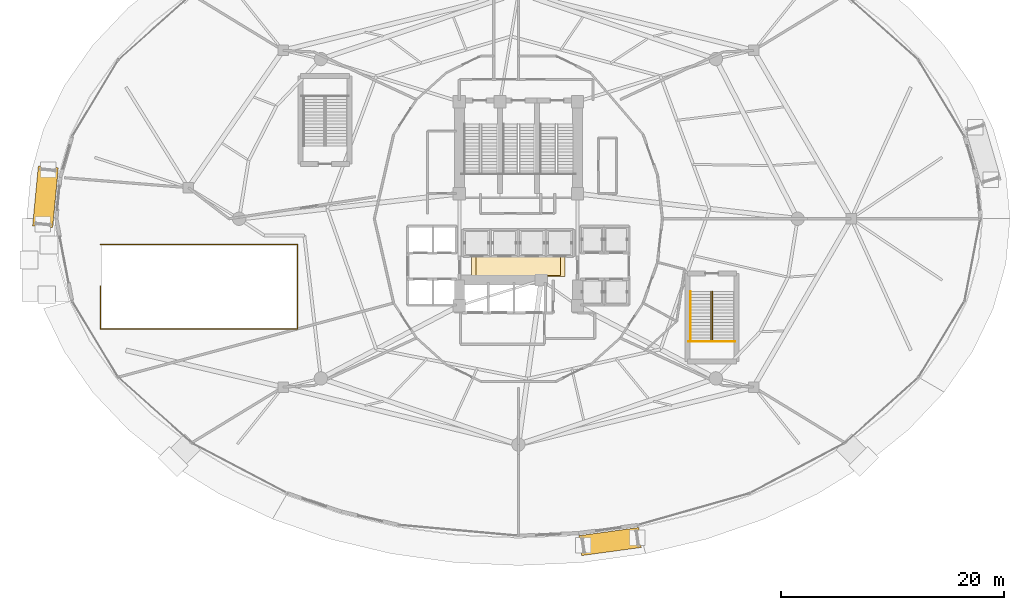
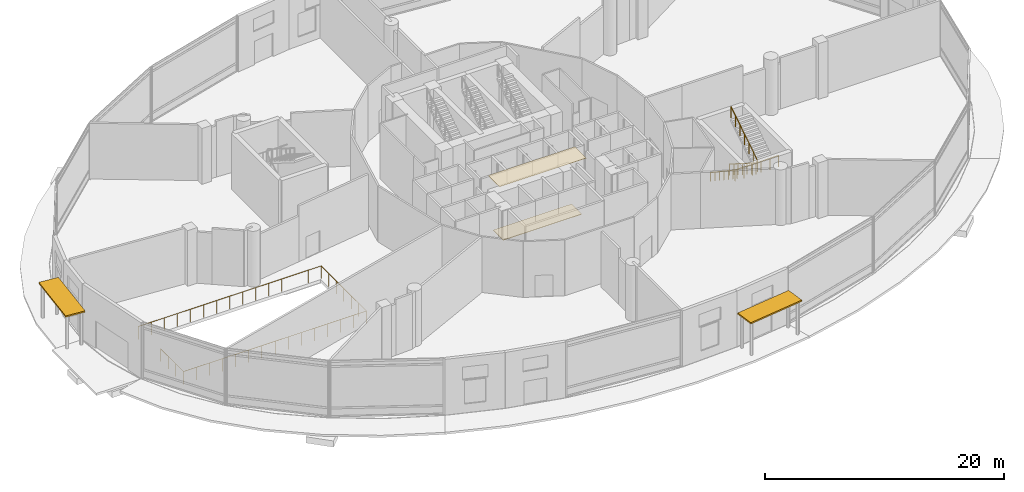
# One storey, part 37 of 40: 4 railings, 2 coverings, 2 shading devices.
"""IFC4 building model written with IfcOpenShell, lengths in metres."""

from ifc_helpers import new_model, si_unit, direction, frame, origin, origin_2d, place, context, subcontext, project, spatial, polyline, rectangle, outline, extrude, material, layer, layer_set, type_object, element, save


model = new_model("IFC4")

# Units and contexts
model_context = context("Model", 3, precision=1e-05, world=origin(), true_north=direction((0.0, 1.0)))
body_context = subcontext(model_context, "Body", "Model", "MODEL_VIEW")
ifc_project = project(units=[si_unit("LENGTHUNIT", "METRE"), si_unit("AREAUNIT", "SQUARE_METRE"), si_unit("VOLUMEUNIT", "CUBIC_METRE"), si_unit("PLANEANGLEUNIT", "RADIAN"), si_unit("MASSUNIT", "GRAM", prefix="KILO")], contexts=[model_context])

# Site, building, storey
site_placement = place(None, origin())
site = spatial("IfcSite", under=ifc_project, at=site_placement, CompositionType="ELEMENT")
building_placement = place(site_placement, origin())
building = spatial("IfcBuilding", under=site, at=building_placement, Name="Nuhasar Tower", CompositionType="ELEMENT")
storey_placement = place(building_placement, origin())
storey = spatial("IfcBuildingStorey", under=building, at=storey_placement, Name="L00", CompositionType="ELEMENT", Elevation=0.0)

# Coverings
ifc_material_1 = material(Name="Mineral Fibre Acoustic", Category="insulation")
ifc_layer_1 = layer(ifc_material_1, 0.0400390625)
ifc_layer_set_1 = layer_set([ifc_layer_1], Name="Mineral Fibre Acoustic")
covering_type_1 = type_object("IfcCoveringType", Name="COV-CEIL-AC60", PredefinedType="CEILING", material=ifc_layer_set_1)
covering_1_placement = place(storey_placement, frame((0.0, 0.0, 5.659912109375)))
element("IfcCovering", 1, at=covering_1_placement, inside=storey, type_object=covering_type_1, Name="L00 Lift Lobby Acoustic Ceiling", PredefinedType="CEILING", context=body_context, shape_type="SweptSolid", body=[
    extrude(outline(polyline([(34.800048828125, 21.60009765625), (43.199951171875, 21.60009765625), (43.199951171875, 23.5), (34.800048828125, 23.5), (34.800048828125, 21.60009765625)])), origin(), (0.0, 0.0, 1.0), 0.0400390625),
])
ifc_material_2 = material(Name="Granite Stone Tile", Category="masonry")
ifc_layer_2 = layer(ifc_material_2, 0.0400390625)
ifc_layer_set_2 = layer_set([ifc_layer_2], Name="Granite Stone Tile")
covering_type_2 = type_object("IfcCoveringType", Name="COV-FLR-STN40", PredefinedType="FLOORING", material=ifc_layer_set_2)
covering_2_placement = place(storey_placement, origin())
element("IfcCovering", 2, at=covering_2_placement, inside=storey, type_object=covering_type_2, Name="L00 Granite Lobby Flooring", PredefinedType="FLOORING", context=body_context, shape_type="SweptSolid", body=[
    extrude(outline(polyline([(35.199951171875, 21.699951171875), (42.800048828125, 21.699951171875), (42.800048828125, 23.39990234375), (35.199951171875, 23.39990234375), (35.199951171875, 21.699951171875)])), origin(), (0.0, 0.0, 1.0), 0.0400390625),
])

# Railings
ifc_material_3 = material(Name="Steel S355", Category="steel")
railing_type_1 = type_object("IfcRailingType", Name="RLG-STAIR-GUARD-1150", PredefinedType="GUARDRAIL", material=ifc_material_3)
railing_1_placement = place(storey_placement, frame((54.25, 15.804931640625, 3.0)))
element("IfcRailing", 3, at=railing_1_placement, inside=storey, type_object=railing_type_1, Name="L00 Stair ST-05 Guardrail LND", PredefinedType="GUARDRAIL", context=body_context, shape_type="SweptSolid", body=[
    extrude(outline(polyline([(0.024169921875, 0.0), (0.01708984375, 0.01708984375), (0.0, 0.024169921875), (-0.01708984375, 0.01708984375), (-0.024169921875, 0.0), (-0.01708984375, -0.01708984375), (0.0, -0.024169921875), (0.01708984375, -0.01708984375), (0.024169921875, 0.0)])), frame((0.0, 0.0, 1.1259765625), z_axis=(1.0, 0.0, 0.0), x_axis=(0.0, 1.0, 0.0)), (0.0, 0.0, 1.0), 4.199951171875),
    extrude(outline(polyline([(0.02099609375, 0.0), (0.014892578125, 0.014892578125), (0.0, 0.02099609375), (-0.014892578125, 0.014892578125), (-0.02099609375, 0.0), (-0.014892578125, -0.014892578125), (0.0, -0.02099609375), (0.014892578125, -0.014892578125), (0.02099609375, 0.0)])), origin(), (0.0, 0.0, 1.0), 1.101806640625),
    extrude(outline(polyline([(0.02099609375, 0.0), (0.014892578125, 0.014892578125), (0.0, 0.02099609375), (-0.014892578125, 0.014892578125), (-0.02099609375, 0.0), (-0.014892578125, -0.014892578125), (0.0, -0.02099609375), (0.014892578125, -0.014892578125), (0.02099609375, 0.0)])), frame((0.840087890625, 0.0, 0.0)), (0.0, 0.0, 1.0), 1.101806640625),
    extrude(outline(polyline([(0.02099609375, 0.0), (0.014892578125, 0.014892578125), (0.0, 0.02099609375), (-0.014892578125, 0.014892578125), (-0.02099609375, 0.0), (-0.014892578125, -0.014892578125), (0.0, -0.02099609375), (0.014892578125, -0.014892578125), (0.02099609375, 0.0)])), frame((1.679931640625, 0.0, 0.0)), (0.0, 0.0, 1.0), 1.101806640625),
    extrude(outline(polyline([(0.02099609375, 0.0), (0.014892578125, 0.014892578125), (0.0, 0.02099609375), (-0.014892578125, 0.014892578125), (-0.02099609375, 0.0), (-0.014892578125, -0.014892578125), (0.0, -0.02099609375), (0.014892578125, -0.014892578125), (0.02099609375, 0.0)])), frame((2.52001953125, 0.0, 0.0)), (0.0, 0.0, 1.0), 1.101806640625),
    extrude(outline(polyline([(0.02099609375, 0.0), (0.014892578125, 0.014892578125), (0.0, 0.02099609375), (-0.014892578125, 0.014892578125), (-0.02099609375, 0.0), (-0.014892578125, -0.014892578125), (0.0, -0.02099609375), (0.014892578125, -0.014892578125), (0.02099609375, 0.0)])), frame((3.35986328125, 0.0, 0.0)), (0.0, 0.0, 1.0), 1.101806640625),
    extrude(outline(polyline([(0.02099609375, 0.0), (0.014892578125, 0.014892578125), (0.0, 0.02099609375), (-0.014892578125, 0.014892578125), (-0.02099609375, 0.0), (-0.014892578125, -0.014892578125), (0.0, -0.02099609375), (0.014892578125, -0.014892578125), (0.02099609375, 0.0)])), frame((4.199951171875, 0.0, 0.0)), (0.0, 0.0, 1.0), 1.101806640625),
])
railing_2_placement = place(storey_placement, frame((56.27001953125, 20.284912109375, 0.176025390625)))
element("IfcRailing", 4, at=railing_2_placement, inside=storey, type_object=railing_type_1, Name="L00 Stair ST-05 Guardrail SLT", PredefinedType="GUARDRAIL", context=body_context, shape_type="SweptSolid", body=[
    extrude(outline(polyline([(0.024169921875, 0.0), (0.01708984375, 0.01708984375), (0.0, 0.024169921875), (-0.01708984375, 0.01708984375), (-0.024169921875, 0.0), (-0.01708984375, -0.01708984375), (0.0, -0.024169921875), (0.01708984375, -0.01708984375), (0.024169921875, 0.0)])), frame((0.0, 0.0, 1.1259765625), z_axis=(0.0, -0.845956345692, 0.533252155347), x_axis=(1.0, 0.0, 0.0)), (0.0, 0.0, 1.0), 5.295654296875),
    extrude(outline(polyline([(0.024169921875, 0.0), (0.01708984375, 0.01708984375), (0.0, 0.024169921875), (-0.01708984375, 0.01708984375), (-0.024169921875, 0.0), (-0.01708984375, -0.01708984375), (0.0, -0.024169921875), (0.01708984375, -0.01708984375), (0.024169921875, 0.0)])), frame((0.0, -4.47998046875, 3.94970703125), z_axis=(0.672417267389, 0.0, 0.740172289752), x_axis=(0.0, 1.0, 0.0)), (0.0, 0.0, 1.0), 0.23779296875),
    extrude(outline(polyline([(0.024169921875, 0.0), (0.01708984375, 0.01708984375), (0.0, 0.024169921875), (-0.01708984375, 0.01708984375), (-0.024169921875, 0.0), (-0.01708984375, -0.01708984375), (0.0, -0.024169921875), (0.01708984375, -0.01708984375), (0.024169921875, 0.0)])), frame((0.159912109375, -4.47998046875, 4.1259765625), z_axis=(0.0, 0.845956345692, 0.533252155347), x_axis=(-1.0, 0.0, 0.0)), (0.0, 0.0, 1.0), 5.295654296875),
    extrude(outline(polyline([(0.02099609375, 0.0), (0.014892578125, 0.014892578125), (0.0, 0.02099609375), (-0.014892578125, 0.014892578125), (-0.02099609375, 0.0), (-0.014892578125, -0.014892578125), (0.0, -0.02099609375), (0.014892578125, -0.014892578125), (0.02099609375, 0.0)])), origin(), (0.0, 0.0, 1.0), 1.101806640625),
    extrude(outline(polyline([(0.02099609375, 0.0), (0.014892578125, 0.014892578125), (0.0, 0.02099609375), (-0.014892578125, 0.014892578125), (-0.02099609375, 0.0), (-0.014892578125, -0.014892578125), (0.0, -0.02099609375), (0.014892578125, -0.014892578125), (0.02099609375, 0.0)])), frame((0.0, -0.74658203125, 0.470703125)), (0.0, 0.0, 1.0), 1.101806640625),
    extrude(outline(polyline([(0.02099609375, 0.0), (0.014892578125, 0.014892578125), (0.0, 0.02099609375), (-0.014892578125, 0.014892578125), (-0.02099609375, 0.0), (-0.014892578125, -0.014892578125), (0.0, -0.02099609375), (0.014892578125, -0.014892578125), (0.02099609375, 0.0)])), frame((0.0, -1.493408203125, 0.94140625)), (0.0, 0.0, 1.0), 1.101806640625),
    extrude(outline(polyline([(0.02099609375, 0.0), (0.014892578125, 0.014892578125), (0.0, 0.02099609375), (-0.014892578125, 0.014892578125), (-0.02099609375, 0.0), (-0.014892578125, -0.014892578125), (0.0, -0.02099609375), (0.014892578125, -0.014892578125), (0.02099609375, 0.0)])), frame((0.0, -2.239990234375, 1.412109375)), (0.0, 0.0, 1.0), 1.101806640625),
    extrude(outline(polyline([(0.02099609375, 0.0), (0.014892578125, 0.014892578125), (0.0, 0.02099609375), (-0.014892578125, 0.014892578125), (-0.02099609375, 0.0), (-0.014892578125, -0.014892578125), (0.0, -0.02099609375), (0.014892578125, -0.014892578125), (0.02099609375, 0.0)])), frame((0.0, -2.986572265625, 1.882568359375)), (0.0, 0.0, 1.0), 1.101806640625),
    extrude(outline(polyline([(0.02099609375, 0.0), (0.014892578125, 0.014892578125), (0.0, 0.02099609375), (-0.014892578125, 0.014892578125), (-0.02099609375, 0.0), (-0.014892578125, -0.014892578125), (0.0, -0.02099609375), (0.014892578125, -0.014892578125), (0.02099609375, 0.0)])), frame((0.0, -3.7333984375, 2.353271484375)), (0.0, 0.0, 1.0), 1.101806640625),
    extrude(outline(polyline([(0.02099609375, 0.0), (0.014892578125, 0.014892578125), (0.0, 0.02099609375), (-0.014892578125, 0.014892578125), (-0.02099609375, 0.0), (-0.014892578125, -0.014892578125), (0.0, -0.02099609375), (0.014892578125, -0.014892578125), (0.02099609375, 0.0)])), frame((0.0, -4.47998046875, 2.823974609375)), (0.0, 0.0, 1.0), 1.101806640625),
    extrude(outline(polyline([(0.02099609375, 0.0), (0.014892578125, 0.014892578125), (0.0, 0.02099609375), (-0.014892578125, 0.014892578125), (-0.02099609375, 0.0), (-0.014892578125, -0.014892578125), (0.0, -0.02099609375), (0.014892578125, -0.014892578125), (0.02099609375, 0.0)])), frame((0.159912109375, -4.47998046875, 3.0)), (0.0, 0.0, 1.0), 1.101806640625),
    extrude(outline(polyline([(0.02099609375, 0.0), (0.014892578125, 0.014892578125), (0.0, 0.02099609375), (-0.014892578125, 0.014892578125), (-0.02099609375, 0.0), (-0.014892578125, -0.014892578125), (0.0, -0.02099609375), (0.014892578125, -0.014892578125), (0.02099609375, 0.0)])), frame((0.159912109375, -3.7333984375, 3.470703125)), (0.0, 0.0, 1.0), 1.101806640625),
    extrude(outline(polyline([(0.02099609375, 0.0), (0.014892578125, 0.014892578125), (0.0, 0.02099609375), (-0.014892578125, 0.014892578125), (-0.02099609375, 0.0), (-0.014892578125, -0.014892578125), (0.0, -0.02099609375), (0.014892578125, -0.014892578125), (0.02099609375, 0.0)])), frame((0.159912109375, -2.986572265625, 3.94140625)), (0.0, 0.0, 1.0), 1.101806640625),
    extrude(outline(polyline([(0.02099609375, 0.0), (0.014892578125, 0.014892578125), (0.0, 0.02099609375), (-0.014892578125, 0.014892578125), (-0.02099609375, 0.0), (-0.014892578125, -0.014892578125), (0.0, -0.02099609375), (0.014892578125, -0.014892578125), (0.02099609375, 0.0)])), frame((0.159912109375, -2.239990234375, 4.412109375)), (0.0, 0.0, 1.0), 1.101806640625),
    extrude(outline(polyline([(0.02099609375, 0.0), (0.014892578125, 0.014892578125), (0.0, 0.02099609375), (-0.014892578125, 0.014892578125), (-0.02099609375, 0.0), (-0.014892578125, -0.014892578125), (0.0, -0.02099609375), (0.014892578125, -0.014892578125), (0.02099609375, 0.0)])), frame((0.159912109375, -1.493408203125, 4.882568359375)), (0.0, 0.0, 1.0), 1.101806640625),
    extrude(outline(polyline([(0.02099609375, 0.0), (0.014892578125, 0.014892578125), (0.0, 0.02099609375), (-0.014892578125, 0.014892578125), (-0.02099609375, 0.0), (-0.014892578125, -0.014892578125), (0.0, -0.02099609375), (0.014892578125, -0.014892578125), (0.02099609375, 0.0)])), frame((0.159912109375, -0.74658203125, 5.353271484375)), (0.0, 0.0, 1.0), 1.101806640625),
    extrude(outline(polyline([(0.02099609375, 0.0), (0.014892578125, 0.014892578125), (0.0, 0.02099609375), (-0.014892578125, 0.014892578125), (-0.02099609375, 0.0), (-0.014892578125, -0.014892578125), (0.0, -0.02099609375), (0.014892578125, -0.014892578125), (0.02099609375, 0.0)])), frame((0.159912109375, 0.0, 5.823974609375)), (0.0, 0.0, 1.0), 1.101806640625),
])
ifc_material_4 = material(Name="Stainless Steel 316L", Category="steel")
railing_type_2 = type_object("IfcRailingType", Name="RLG-STAIR-HAND-920", PredefinedType="HANDRAIL", material=ifc_material_4)
railing_3_placement = place(storey_placement, frame((54.449951171875, 20.284912109375, 0.176025390625)))
element("IfcRailing", 5, at=railing_3_placement, inside=storey, type_object=railing_type_2, Name="L00 Stair ST-05 Handrail HND1", PredefinedType="HANDRAIL", context=body_context, shape_type="SweptSolid", body=[
    extrude(outline(polyline([(0.024169921875, 0.0), (0.01708984375, 0.01708984375), (0.0, 0.024169921875), (-0.01708984375, 0.01708984375), (-0.024169921875, 0.0), (-0.01708984375, -0.01708984375), (0.0, -0.024169921875), (0.01708984375, -0.01708984375), (0.024169921875, 0.0)])), frame((0.0, 0.0, 0.89599609375), z_axis=(0.0, -0.830906055479, 0.556412730775), x_axis=(1.0, 0.0, 0.0)), (0.0, 0.0, 1.0), 5.3916015625),
    extrude(outline(polyline([(0.02099609375, 0.0), (0.014892578125, 0.014892578125), (0.0, 0.02099609375), (-0.014892578125, 0.014892578125), (-0.02099609375, 0.0), (-0.014892578125, -0.014892578125), (0.0, -0.02099609375), (0.014892578125, -0.014892578125), (0.02099609375, 0.0)])), origin(), (0.0, 0.0, 1.0), 0.871826171875),
    extrude(outline(polyline([(0.02099609375, 0.0), (0.014892578125, 0.014892578125), (0.0, 0.02099609375), (-0.014892578125, 0.014892578125), (-0.02099609375, 0.0), (-0.014892578125, -0.014892578125), (0.0, -0.02099609375), (0.014892578125, -0.014892578125), (0.02099609375, 0.0)])), frame((0.0, -0.74658203125, 0.5)), (0.0, 0.0, 1.0), 0.871826171875),
    extrude(outline(polyline([(0.02099609375, 0.0), (0.014892578125, 0.014892578125), (0.0, 0.02099609375), (-0.014892578125, 0.014892578125), (-0.02099609375, 0.0), (-0.014892578125, -0.014892578125), (0.0, -0.02099609375), (0.014892578125, -0.014892578125), (0.02099609375, 0.0)])), frame((0.0, -1.493408203125, 1.0)), (0.0, 0.0, 1.0), 0.871826171875),
    extrude(outline(polyline([(0.02099609375, 0.0), (0.014892578125, 0.014892578125), (0.0, 0.02099609375), (-0.014892578125, 0.014892578125), (-0.02099609375, 0.0), (-0.014892578125, -0.014892578125), (0.0, -0.02099609375), (0.014892578125, -0.014892578125), (0.02099609375, 0.0)])), frame((0.0, -2.239990234375, 1.5)), (0.0, 0.0, 1.0), 0.871826171875),
    extrude(outline(polyline([(0.02099609375, 0.0), (0.014892578125, 0.014892578125), (0.0, 0.02099609375), (-0.014892578125, 0.014892578125), (-0.02099609375, 0.0), (-0.014892578125, -0.014892578125), (0.0, -0.02099609375), (0.014892578125, -0.014892578125), (0.02099609375, 0.0)])), frame((0.0, -2.986572265625, 2.0)), (0.0, 0.0, 1.0), 0.871826171875),
    extrude(outline(polyline([(0.02099609375, 0.0), (0.014892578125, 0.014892578125), (0.0, 0.02099609375), (-0.014892578125, 0.014892578125), (-0.02099609375, 0.0), (-0.014892578125, -0.014892578125), (0.0, -0.02099609375), (0.014892578125, -0.014892578125), (0.02099609375, 0.0)])), frame((0.0, -3.7333984375, 2.5)), (0.0, 0.0, 1.0), 0.871826171875),
    extrude(outline(polyline([(0.02099609375, 0.0), (0.014892578125, 0.014892578125), (0.0, 0.02099609375), (-0.014892578125, 0.014892578125), (-0.02099609375, 0.0), (-0.014892578125, -0.014892578125), (0.0, -0.02099609375), (0.014892578125, -0.014892578125), (0.02099609375, 0.0)])), frame((0.0, -4.47998046875, 3.0)), (0.0, 0.0, 1.0), 0.871826171875),
])
railing_type_3 = type_object("IfcRailingType", Name="RLG-WIND-1320", PredefinedType="GUARDRAIL", material=ifc_material_4)
railing_4_placement = place(storey_placement, frame((1.5, 20.75, 0.0)))
element("IfcRailing", 6, at=railing_4_placement, inside=storey, type_object=railing_type_3, Name="L00 Ramp Well Edge Guardrail", PredefinedType="GUARDRAIL", context=body_context, shape_type="SweptSolid", body=[
    extrude(outline(polyline([(0.024169921875, 0.0), (0.01708984375, 0.01708984375), (0.0, 0.024169921875), (-0.01708984375, 0.01708984375), (-0.024169921875, 0.0), (-0.01708984375, -0.01708984375), (0.0, -0.024169921875), (0.01708984375, -0.01708984375), (0.024169921875, 0.0)])), frame((0.0, 0.0, 1.2958984375), z_axis=(0.0, -1.0, 0.0), x_axis=(1.0, 0.0, 0.0)), (0.0, 0.0, 1.0), 3.85009765625),
    extrude(outline(polyline([(0.024169921875, 0.0), (0.01708984375, 0.01708984375), (0.0, 0.024169921875), (-0.01708984375, 0.01708984375), (-0.024169921875, 0.0), (-0.01708984375, -0.01708984375), (0.0, -0.024169921875), (0.01708984375, -0.01708984375), (0.024169921875, 0.0)])), frame((0.0, -3.85009765625, 1.2958984375), z_axis=(1.0, 0.0, 0.0), x_axis=(0.0, 1.0, 0.0)), (0.0, 0.0, 1.0), 17.699951171875),
    extrude(outline(polyline([(0.024169921875, 0.0), (0.01708984375, 0.01708984375), (0.0, 0.024169921875), (-0.01708984375, 0.01708984375), (-0.024169921875, 0.0), (-0.01708984375, -0.01708984375), (0.0, -0.024169921875), (0.01708984375, -0.01708984375), (0.024169921875, 0.0)])), frame((17.699951171875, -3.85009765625, 1.2958984375), z_axis=(0.0, 1.0, 0.0), x_axis=(-1.0, 0.0, 0.0)), (0.0, 0.0, 1.0), 7.60009765625),
    extrude(outline(polyline([(0.024169921875, 0.0), (0.01708984375, 0.01708984375), (0.0, 0.024169921875), (-0.01708984375, 0.01708984375), (-0.024169921875, 0.0), (-0.01708984375, -0.01708984375), (0.0, -0.024169921875), (0.01708984375, -0.01708984375), (0.024169921875, 0.0)])), frame((17.699951171875, 3.75, 1.2958984375), z_axis=(-1.0, 0.0, 0.0), x_axis=(0.0, -1.0, 0.0)), (0.0, 0.0, 1.0), 17.699951171875),
    extrude(outline(polyline([(0.02099609375, 0.0), (0.014892578125, 0.014892578125), (0.0, 0.02099609375), (-0.014892578125, 0.014892578125), (-0.02099609375, 0.0), (-0.014892578125, -0.014892578125), (0.0, -0.02099609375), (0.014892578125, -0.014892578125), (0.02099609375, 0.0)])), origin(), (0.0, 0.0, 1.0), 1.27197265625),
    extrude(outline(polyline([(0.02099609375, 0.0), (0.014892578125, 0.014892578125), (0.0, 0.02099609375), (-0.014892578125, 0.014892578125), (-0.02099609375, 0.0), (-0.014892578125, -0.014892578125), (0.0, -0.02099609375), (0.014892578125, -0.014892578125), (0.02099609375, 0.0)])), frame((0.0, -1.283447265625, 0.0)), (0.0, 0.0, 1.0), 1.27197265625),
    extrude(outline(polyline([(0.02099609375, 0.0), (0.014892578125, 0.014892578125), (0.0, 0.02099609375), (-0.014892578125, 0.014892578125), (-0.02099609375, 0.0), (-0.014892578125, -0.014892578125), (0.0, -0.02099609375), (0.014892578125, -0.014892578125), (0.02099609375, 0.0)])), frame((0.0, -2.566650390625, 0.0)), (0.0, 0.0, 1.0), 1.27197265625),
    extrude(outline(polyline([(0.02099609375, 0.0), (0.014892578125, 0.014892578125), (0.0, 0.02099609375), (-0.014892578125, 0.014892578125), (-0.02099609375, 0.0), (-0.014892578125, -0.014892578125), (0.0, -0.02099609375), (0.014892578125, -0.014892578125), (0.02099609375, 0.0)])), frame((0.0, -3.85009765625, 0.0)), (0.0, 0.0, 1.0), 1.27197265625),
    extrude(outline(polyline([(0.02099609375, 0.0), (0.014892578125, 0.014892578125), (0.0, 0.02099609375), (-0.014892578125, 0.014892578125), (-0.02099609375, 0.0), (-0.014892578125, -0.014892578125), (0.0, -0.02099609375), (0.014892578125, -0.014892578125), (0.02099609375, 0.0)])), frame((1.26416015625, -3.85009765625, 0.0)), (0.0, 0.0, 1.0), 1.27197265625),
    extrude(outline(polyline([(0.02099609375, 0.0), (0.014892578125, 0.014892578125), (0.0, 0.02099609375), (-0.014892578125, 0.014892578125), (-0.02099609375, 0.0), (-0.014892578125, -0.014892578125), (0.0, -0.02099609375), (0.014892578125, -0.014892578125), (0.02099609375, 0.0)])), frame((2.528564453125, -3.85009765625, 0.0)), (0.0, 0.0, 1.0), 1.27197265625),
    extrude(outline(polyline([(0.02099609375, 0.0), (0.014892578125, 0.014892578125), (0.0, 0.02099609375), (-0.014892578125, 0.014892578125), (-0.02099609375, 0.0), (-0.014892578125, -0.014892578125), (0.0, -0.02099609375), (0.014892578125, -0.014892578125), (0.02099609375, 0.0)])), frame((3.79296875, -3.85009765625, 0.0)), (0.0, 0.0, 1.0), 1.27197265625),
    extrude(outline(polyline([(0.02099609375, 0.0), (0.014892578125, 0.014892578125), (0.0, 0.02099609375), (-0.014892578125, 0.014892578125), (-0.02099609375, 0.0), (-0.014892578125, -0.014892578125), (0.0, -0.02099609375), (0.014892578125, -0.014892578125), (0.02099609375, 0.0)])), frame((5.05712890625, -3.85009765625, 0.0)), (0.0, 0.0, 1.0), 1.27197265625),
    extrude(outline(polyline([(0.02099609375, 0.0), (0.014892578125, 0.014892578125), (0.0, 0.02099609375), (-0.014892578125, 0.014892578125), (-0.02099609375, 0.0), (-0.014892578125, -0.014892578125), (0.0, -0.02099609375), (0.014892578125, -0.014892578125), (0.02099609375, 0.0)])), frame((6.3212890625, -3.85009765625, 0.0)), (0.0, 0.0, 1.0), 1.27197265625),
    extrude(outline(polyline([(0.02099609375, 0.0), (0.014892578125, 0.014892578125), (0.0, 0.02099609375), (-0.014892578125, 0.014892578125), (-0.02099609375, 0.0), (-0.014892578125, -0.014892578125), (0.0, -0.02099609375), (0.014892578125, -0.014892578125), (0.02099609375, 0.0)])), frame((7.585693359375, -3.85009765625, 0.0)), (0.0, 0.0, 1.0), 1.27197265625),
    extrude(outline(polyline([(0.02099609375, 0.0), (0.014892578125, 0.014892578125), (0.0, 0.02099609375), (-0.014892578125, 0.014892578125), (-0.02099609375, 0.0), (-0.014892578125, -0.014892578125), (0.0, -0.02099609375), (0.014892578125, -0.014892578125), (0.02099609375, 0.0)])), frame((8.85009765625, -3.85009765625, 0.0)), (0.0, 0.0, 1.0), 1.27197265625),
    extrude(outline(polyline([(0.02099609375, 0.0), (0.014892578125, 0.014892578125), (0.0, 0.02099609375), (-0.014892578125, 0.014892578125), (-0.02099609375, 0.0), (-0.014892578125, -0.014892578125), (0.0, -0.02099609375), (0.014892578125, -0.014892578125), (0.02099609375, 0.0)])), frame((10.1142578125, -3.85009765625, 0.0)), (0.0, 0.0, 1.0), 1.27197265625),
    extrude(outline(polyline([(0.02099609375, 0.0), (0.014892578125, 0.014892578125), (0.0, 0.02099609375), (-0.014892578125, 0.014892578125), (-0.02099609375, 0.0), (-0.014892578125, -0.014892578125), (0.0, -0.02099609375), (0.014892578125, -0.014892578125), (0.02099609375, 0.0)])), frame((11.37841796875, -3.85009765625, 0.0)), (0.0, 0.0, 1.0), 1.27197265625),
    extrude(outline(polyline([(0.02099609375, 0.0), (0.014892578125, 0.014892578125), (0.0, 0.02099609375), (-0.014892578125, 0.014892578125), (-0.02099609375, 0.0), (-0.014892578125, -0.014892578125), (0.0, -0.02099609375), (0.014892578125, -0.014892578125), (0.02099609375, 0.0)])), frame((12.642822265625, -3.85009765625, 0.0)), (0.0, 0.0, 1.0), 1.27197265625),
    extrude(outline(polyline([(0.02099609375, 0.0), (0.014892578125, 0.014892578125), (0.0, 0.02099609375), (-0.014892578125, 0.014892578125), (-0.02099609375, 0.0), (-0.014892578125, -0.014892578125), (0.0, -0.02099609375), (0.014892578125, -0.014892578125), (0.02099609375, 0.0)])), frame((13.9072265625, -3.85009765625, 0.0)), (0.0, 0.0, 1.0), 1.27197265625),
    extrude(outline(polyline([(0.02099609375, 0.0), (0.014892578125, 0.014892578125), (0.0, 0.02099609375), (-0.014892578125, 0.014892578125), (-0.02099609375, 0.0), (-0.014892578125, -0.014892578125), (0.0, -0.02099609375), (0.014892578125, -0.014892578125), (0.02099609375, 0.0)])), frame((15.17138671875, -3.85009765625, 0.0)), (0.0, 0.0, 1.0), 1.27197265625),
    extrude(outline(polyline([(0.02099609375, 0.0), (0.014892578125, 0.014892578125), (0.0, 0.02099609375), (-0.014892578125, 0.014892578125), (-0.02099609375, 0.0), (-0.014892578125, -0.014892578125), (0.0, -0.02099609375), (0.014892578125, -0.014892578125), (0.02099609375, 0.0)])), frame((16.435546875, -3.85009765625, 0.0)), (0.0, 0.0, 1.0), 1.27197265625),
    extrude(outline(polyline([(0.02099609375, 0.0), (0.014892578125, 0.014892578125), (0.0, 0.02099609375), (-0.014892578125, 0.014892578125), (-0.02099609375, 0.0), (-0.014892578125, -0.014892578125), (0.0, -0.02099609375), (0.014892578125, -0.014892578125), (0.02099609375, 0.0)])), frame((17.699951171875, -3.85009765625, 0.0)), (0.0, 0.0, 1.0), 1.27197265625),
    extrude(outline(polyline([(0.02099609375, 0.0), (0.014892578125, 0.014892578125), (0.0, 0.02099609375), (-0.014892578125, 0.014892578125), (-0.02099609375, 0.0), (-0.014892578125, -0.014892578125), (0.0, -0.02099609375), (0.014892578125, -0.014892578125), (0.02099609375, 0.0)])), frame((17.699951171875, -2.58349609375, 0.0)), (0.0, 0.0, 1.0), 1.27197265625),
    extrude(outline(polyline([(0.02099609375, 0.0), (0.014892578125, 0.014892578125), (0.0, 0.02099609375), (-0.014892578125, 0.014892578125), (-0.02099609375, 0.0), (-0.014892578125, -0.014892578125), (0.0, -0.02099609375), (0.014892578125, -0.014892578125), (0.02099609375, 0.0)])), frame((17.699951171875, -1.316650390625, 0.0)), (0.0, 0.0, 1.0), 1.27197265625),
    extrude(outline(polyline([(0.02099609375, 0.0), (0.014892578125, 0.014892578125), (0.0, 0.02099609375), (-0.014892578125, 0.014892578125), (-0.02099609375, 0.0), (-0.014892578125, -0.014892578125), (0.0, -0.02099609375), (0.014892578125, -0.014892578125), (0.02099609375, 0.0)])), frame((17.699951171875, -0.050048828125, 0.0)), (0.0, 0.0, 1.0), 1.27197265625),
    extrude(outline(polyline([(0.02099609375, 0.0), (0.014892578125, 0.014892578125), (0.0, 0.02099609375), (-0.014892578125, 0.014892578125), (-0.02099609375, 0.0), (-0.014892578125, -0.014892578125), (0.0, -0.02099609375), (0.014892578125, -0.014892578125), (0.02099609375, 0.0)])), frame((17.699951171875, 1.216552734375, 0.0)), (0.0, 0.0, 1.0), 1.27197265625),
    extrude(outline(polyline([(0.02099609375, 0.0), (0.014892578125, 0.014892578125), (0.0, 0.02099609375), (-0.014892578125, 0.014892578125), (-0.02099609375, 0.0), (-0.014892578125, -0.014892578125), (0.0, -0.02099609375), (0.014892578125, -0.014892578125), (0.02099609375, 0.0)])), frame((17.699951171875, 2.4833984375, 0.0)), (0.0, 0.0, 1.0), 1.27197265625),
    extrude(outline(polyline([(0.02099609375, 0.0), (0.014892578125, 0.014892578125), (0.0, 0.02099609375), (-0.014892578125, 0.014892578125), (-0.02099609375, 0.0), (-0.014892578125, -0.014892578125), (0.0, -0.02099609375), (0.014892578125, -0.014892578125), (0.02099609375, 0.0)])), frame((17.699951171875, 3.75, 0.0)), (0.0, 0.0, 1.0), 1.27197265625),
    extrude(outline(polyline([(0.02099609375, 0.0), (0.014892578125, 0.014892578125), (0.0, 0.02099609375), (-0.014892578125, 0.014892578125), (-0.02099609375, 0.0), (-0.014892578125, -0.014892578125), (0.0, -0.02099609375), (0.014892578125, -0.014892578125), (0.02099609375, 0.0)])), frame((16.435546875, 3.75, 0.0)), (0.0, 0.0, 1.0), 1.27197265625),
    extrude(outline(polyline([(0.02099609375, 0.0), (0.014892578125, 0.014892578125), (0.0, 0.02099609375), (-0.014892578125, 0.014892578125), (-0.02099609375, 0.0), (-0.014892578125, -0.014892578125), (0.0, -0.02099609375), (0.014892578125, -0.014892578125), (0.02099609375, 0.0)])), frame((15.17138671875, 3.75, 0.0)), (0.0, 0.0, 1.0), 1.27197265625),
    extrude(outline(polyline([(0.02099609375, 0.0), (0.014892578125, 0.014892578125), (0.0, 0.02099609375), (-0.014892578125, 0.014892578125), (-0.02099609375, 0.0), (-0.014892578125, -0.014892578125), (0.0, -0.02099609375), (0.014892578125, -0.014892578125), (0.02099609375, 0.0)])), frame((13.9072265625, 3.75, 0.0)), (0.0, 0.0, 1.0), 1.27197265625),
    extrude(outline(polyline([(0.02099609375, 0.0), (0.014892578125, 0.014892578125), (0.0, 0.02099609375), (-0.014892578125, 0.014892578125), (-0.02099609375, 0.0), (-0.014892578125, -0.014892578125), (0.0, -0.02099609375), (0.014892578125, -0.014892578125), (0.02099609375, 0.0)])), frame((12.642822265625, 3.75, 0.0)), (0.0, 0.0, 1.0), 1.27197265625),
    extrude(outline(polyline([(0.02099609375, 0.0), (0.014892578125, 0.014892578125), (0.0, 0.02099609375), (-0.014892578125, 0.014892578125), (-0.02099609375, 0.0), (-0.014892578125, -0.014892578125), (0.0, -0.02099609375), (0.014892578125, -0.014892578125), (0.02099609375, 0.0)])), frame((11.37841796875, 3.75, 0.0)), (0.0, 0.0, 1.0), 1.27197265625),
    extrude(outline(polyline([(0.02099609375, 0.0), (0.014892578125, 0.014892578125), (0.0, 0.02099609375), (-0.014892578125, 0.014892578125), (-0.02099609375, 0.0), (-0.014892578125, -0.014892578125), (0.0, -0.02099609375), (0.014892578125, -0.014892578125), (0.02099609375, 0.0)])), frame((10.1142578125, 3.75, 0.0)), (0.0, 0.0, 1.0), 1.27197265625),
    extrude(outline(polyline([(0.02099609375, 0.0), (0.014892578125, 0.014892578125), (0.0, 0.02099609375), (-0.014892578125, 0.014892578125), (-0.02099609375, 0.0), (-0.014892578125, -0.014892578125), (0.0, -0.02099609375), (0.014892578125, -0.014892578125), (0.02099609375, 0.0)])), frame((8.85009765625, 3.75, 0.0)), (0.0, 0.0, 1.0), 1.27197265625),
    extrude(outline(polyline([(0.02099609375, 0.0), (0.014892578125, 0.014892578125), (0.0, 0.02099609375), (-0.014892578125, 0.014892578125), (-0.02099609375, 0.0), (-0.014892578125, -0.014892578125), (0.0, -0.02099609375), (0.014892578125, -0.014892578125), (0.02099609375, 0.0)])), frame((7.585693359375, 3.75, 0.0)), (0.0, 0.0, 1.0), 1.27197265625),
    extrude(outline(polyline([(0.02099609375, 0.0), (0.014892578125, 0.014892578125), (0.0, 0.02099609375), (-0.014892578125, 0.014892578125), (-0.02099609375, 0.0), (-0.014892578125, -0.014892578125), (0.0, -0.02099609375), (0.014892578125, -0.014892578125), (0.02099609375, 0.0)])), frame((6.3212890625, 3.75, 0.0)), (0.0, 0.0, 1.0), 1.27197265625),
    extrude(outline(polyline([(0.02099609375, 0.0), (0.014892578125, 0.014892578125), (0.0, 0.02099609375), (-0.014892578125, 0.014892578125), (-0.02099609375, 0.0), (-0.014892578125, -0.014892578125), (0.0, -0.02099609375), (0.014892578125, -0.014892578125), (0.02099609375, 0.0)])), frame((5.05712890625, 3.75, 0.0)), (0.0, 0.0, 1.0), 1.27197265625),
    extrude(outline(polyline([(0.02099609375, 0.0), (0.014892578125, 0.014892578125), (0.0, 0.02099609375), (-0.014892578125, 0.014892578125), (-0.02099609375, 0.0), (-0.014892578125, -0.014892578125), (0.0, -0.02099609375), (0.014892578125, -0.014892578125), (0.02099609375, 0.0)])), frame((3.79296875, 3.75, 0.0)), (0.0, 0.0, 1.0), 1.27197265625),
    extrude(outline(polyline([(0.02099609375, 0.0), (0.014892578125, 0.014892578125), (0.0, 0.02099609375), (-0.014892578125, 0.014892578125), (-0.02099609375, 0.0), (-0.014892578125, -0.014892578125), (0.0, -0.02099609375), (0.014892578125, -0.014892578125), (0.02099609375, 0.0)])), frame((2.528564453125, 3.75, 0.0)), (0.0, 0.0, 1.0), 1.27197265625),
    extrude(outline(polyline([(0.02099609375, 0.0), (0.014892578125, 0.014892578125), (0.0, 0.02099609375), (-0.014892578125, 0.014892578125), (-0.02099609375, 0.0), (-0.014892578125, -0.014892578125), (0.0, -0.02099609375), (0.014892578125, -0.014892578125), (0.02099609375, 0.0)])), frame((1.26416015625, 3.75, 0.0)), (0.0, 0.0, 1.0), 1.27197265625),
    extrude(outline(polyline([(0.02099609375, 0.0), (0.014892578125, 0.014892578125), (0.0, 0.02099609375), (-0.014892578125, 0.014892578125), (-0.02099609375, 0.0), (-0.014892578125, -0.014892578125), (0.0, -0.02099609375), (0.014892578125, -0.014892578125), (0.02099609375, 0.0)])), frame((0.0, 3.75, 0.0)), (0.0, 0.0, 1.0), 1.27197265625),
])

# Shading devices
ifc_material_5 = material(Name="Aluminium 6063-T6", Category="aluminium")
ifc_layer_3 = layer(ifc_material_5, 0.139892578125)
ifc_layer_set_3 = layer_set([ifc_layer_3], Name="Aluminium 6063-T6")
shading_device_type = type_object("IfcShadingDeviceType", Name="SHD-CANOPY-450", PredefinedType="AWNING", material=ifc_layer_set_3)
for number, where, z_axis, x_axis, name in (
    (7, (-3.416015625, 28.761962890625, 3.35400390625), (0.0, 0.0, 1.0), (-0.995471168432, 0.095063940693, 0.0), "L00 Entrance Bronze Sun Canopy NorthWest"),
    (8, (47.22900390625, -2.154052734375, 3.35400390625), (0.0, 0.0, 1.0), (0.135265971368, -0.990809324234, 0.0), "L00 Entrance Bronze Sun Canopy South"),
):
    element("IfcShadingDevice", number, at=place(storey_placement, frame(where, z_axis=z_axis, x_axis=x_axis)), inside=storey, type_object=shading_device_type, Name=name, PredefinedType="AWNING", context=body_context, shape_type="SweptSolid", body=[
        extrude(rectangle(XDim=1.800048828125, YDim=5.39990234375, at=origin_2d()), origin(), (0.0, 0.0, 1.0), 0.139892578125),
    ])

save(model, "model.ifc")
